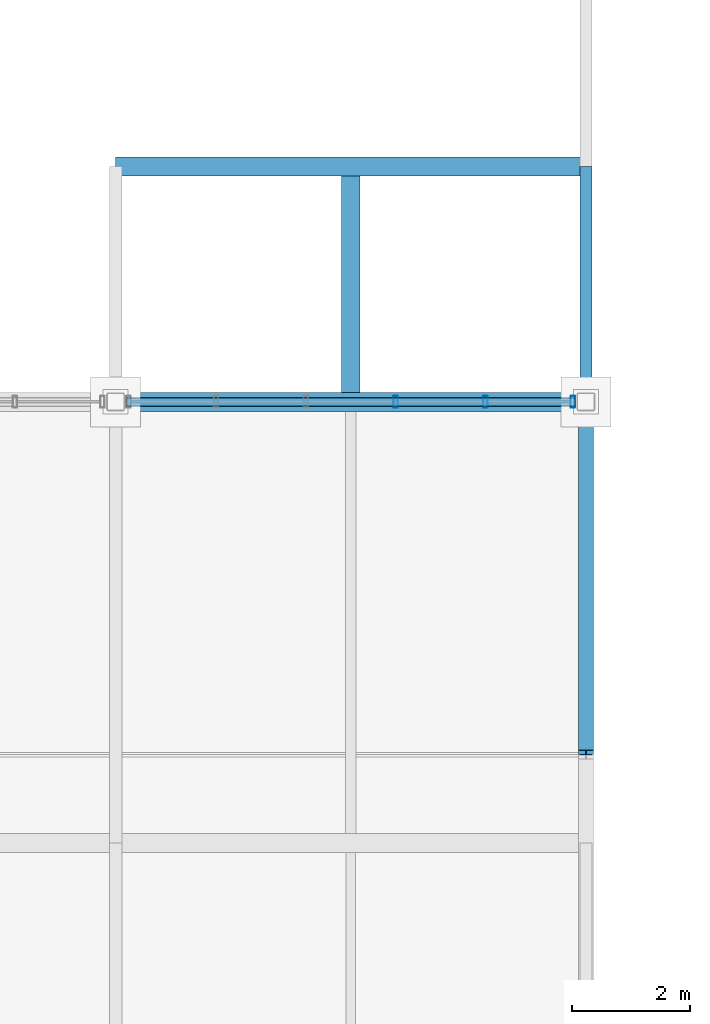
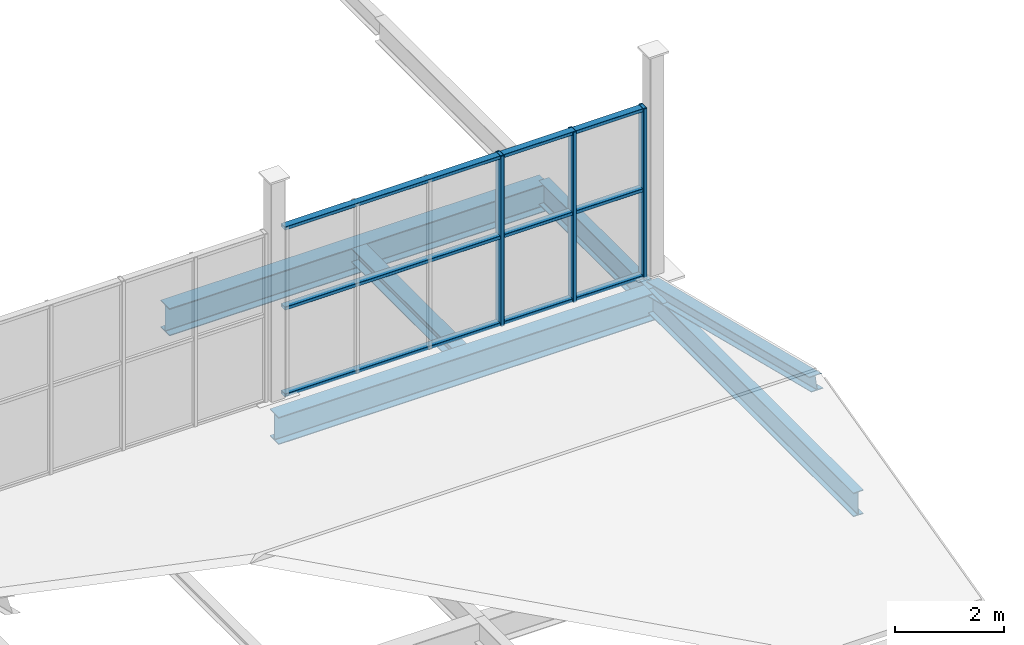
# One storey, part 45 of 96: 7 members, 5 beams, 1 element without a shape of its own.
"""IFC4 building model written with IfcOpenShell, lengths in metres."""

import ifcopenshell
import ifcopenshell.guid

model = None  # the IFC model being written
_history = None  # IfcOwnerHistory: only IFC2X3 demands one
_inside = {}  # id of a spatial element -> (the spatial element, [elements in it])
_under = {}  # id of a project, library or spatial element -> (it, [spatial elements below it])
_declared = {}  # id of a project -> (the project, [libraries it declares])
_typed = {}  # id of a type object -> (the type object, [elements of that type])
_made_of = {}  # id of a material, layer set ... -> (it, [elements and type objects made of it])


def new_model(schema):
    """Start an empty IFC model of exactly this schema.

    Asked for "IFC4X3", IfcOpenShell would pick the latest addendum, in which some entities
    have other attributes; the version numbers below select the first issue.
    IFC2X3 requires an IfcOwnerHistory on every rooted entity: one is made here for all.
    """
    global model, _history
    if schema == "IFC4X3":
        model = ifcopenshell.file(schema_version=(4, 3, 0, 0))
    else:
        model = ifcopenshell.file(schema=schema)
    _inside.clear()
    _under.clear()
    _declared.clear()
    _typed.clear()
    _made_of.clear()
    _history = None
    if model.schema == "IFC2X3":
        org = make("IfcOrganization", Name="unknown")
        user = make(
            "IfcPersonAndOrganization",
            ThePerson=make("IfcPerson", FamilyName="unknown"),
            TheOrganization=org,
        )
        app = make(
            "IfcApplication",
            ApplicationDeveloper=org,
            Version="unknown",
            ApplicationFullName="unknown",
            ApplicationIdentifier="unknown",
        )
        _history = make(
            "IfcOwnerHistory",
            OwningUser=user,
            OwningApplication=app,
            ChangeAction="ADDED",
            CreationDate=0,
        )
    return model


def make(cls, **values):
    """One entity of the class cls with the attributes given. An attribute that is None is left unset."""
    return model.create_entity(
        cls, **{name: value for name, value in values.items() if value is not None}
    )


def rooted(cls, **values):
    """An entity with a GlobalId (a new one), such as an element, a storey or a relation."""
    return make(cls, GlobalId=ifcopenshell.guid.new(), OwnerHistory=_history, **values)


def si_unit(unit_type, name, prefix=None):
    """IfcSIUnit, for example si_unit("LENGTHUNIT", "METRE", prefix="MILLI")."""
    return make("IfcSIUnit", UnitType=unit_type, Prefix=prefix, Name=name)


def assignment(units):
    """IfcUnitAssignment: the units of a project."""
    return None if units is None else make("IfcUnitAssignment", Units=units)


def point(xyz):
    """IfcCartesianPoint."""
    return None if xyz is None else make("IfcCartesianPoint", Coordinates=xyz)


def direction(xyz):
    """IfcDirection."""
    return None if xyz is None else make("IfcDirection", DirectionRatios=xyz)


def frame(location, z_axis=None, x_axis=None):
    """IfcAxis2Placement3D, a coordinate frame: its origin and axes. An axis left out is left unset."""
    return make(
        "IfcAxis2Placement3D",
        Location=point(location),
        Axis=direction(z_axis),
        RefDirection=direction(x_axis),
    )


def frame_2d(location, x_axis=None):
    """IfcAxis2Placement2D, a coordinate frame in the plane: its origin and x axis."""
    return make(
        "IfcAxis2Placement2D", Location=point(location), RefDirection=direction(x_axis)
    )


def origin():
    """The frame at (0, 0, 0) with its axes left unset."""
    return frame((0.0, 0.0, 0.0))


def origin_2d():
    """The frame at (0, 0) in the plane with its x axis left unset."""
    return frame_2d((0.0, 0.0))


def place(relative_to, where):
    """IfcLocalPlacement: puts the frame where relative to a parent placement (None: the world)."""
    return make(
        "IfcLocalPlacement", PlacementRelTo=relative_to, RelativePlacement=where
    )


def context(
    kind, dimensions, precision=None, world=None, true_north=None, identifier=None
):
    """IfcGeometricRepresentationContext, for example the 3D "Model" context."""
    return make(
        "IfcGeometricRepresentationContext",
        ContextIdentifier=identifier,
        ContextType=kind,
        CoordinateSpaceDimension=dimensions,
        Precision=precision,
        WorldCoordinateSystem=world,
        TrueNorth=true_north,
    )


def subcontext(parent, identifier, kind, view, scale=None):
    """IfcGeometricRepresentationSubContext, for example "Body" below "Model"."""
    return make(
        "IfcGeometricRepresentationSubContext",
        ContextIdentifier=identifier,
        ContextType=kind,
        ParentContext=parent,
        TargetScale=scale,
        TargetView=view,
    )


def project(units=None, contexts=None):
    """IfcProject with its units and contexts."""
    return rooted(
        "IfcProject",
        Name="project",
        RepresentationContexts=contexts,
        UnitsInContext=assignment(units),
    )


def spatial(cls, under=None, at=None, **own):
    """A site, building, storey or space (cls), placed at a placement, below another one or the project."""
    s = rooted(cls, ObjectPlacement=at, **own)
    if under is not None:
        _under.setdefault(under.id(), (under, []))[1].append(s)
    return s


def profile(cls, at=None, kind="AREA", **sizes):
    """A parametric profile (cls). Its sizes go by their IFC names, for example OverallWidth=200.0."""
    return make(cls, ProfileType=kind, Position=at, **sizes)


def hollow_rectangle(**sizes):
    """IfcRectangleHollowProfileDef."""
    return profile("IfcRectangleHollowProfileDef", **sizes)


def i_section(**sizes):
    """IfcIShapeProfileDef."""
    return profile("IfcIShapeProfileDef", **sizes)


def extrude(swept, where, along, depth):
    """IfcExtrudedAreaSolid: the profile swept, set in the frame where, extruded along a direction by depth."""
    return make(
        "IfcExtrudedAreaSolid",
        SweptArea=swept,
        Position=where,
        ExtrudedDirection=direction(along),
        Depth=depth,
    )


def shape(context_of_items, identifier, shape_type, items):
    """IfcShapeRepresentation: the items that make up one representation, for example the "Body"."""
    return make(
        "IfcShapeRepresentation",
        ContextOfItems=context_of_items,
        RepresentationIdentifier=identifier,
        RepresentationType=shape_type,
        Items=items,
    )


def material(Name=None, Category=None):
    """IfcMaterial."""
    return make("IfcMaterial", Name=Name, Category=Category)


def material_profile(
    of_material, cross_section, Name=None, Category=None, Priority=None
):
    """IfcMaterialProfile: a cross section and its material."""
    return make(
        "IfcMaterialProfile",
        Name=Name,
        Material=of_material,
        Profile=cross_section,
        Priority=Priority,
        Category=Category,
    )


def profile_set(profiles, Name=None, composite=None):
    """IfcMaterialProfileSet."""
    return make(
        "IfcMaterialProfileSet",
        Name=Name,
        MaterialProfiles=profiles,
        CompositeProfile=composite,
    )


def made_of(thing, what):
    """Note that an element or type object is made of a material, layer set ...; save() writes the relation."""
    if what is not None:
        _made_of.setdefault(what.id(), (what, []))[1].append(thing)
    return thing


def type_object(cls, material=None, **own):
    """A type object (cls), such as IfcWallType, which elements share."""
    return made_of(rooted(cls, **own), material)


def element(
    cls,
    number,
    at=None,
    inside=None,
    cuts=None,
    type_object=None,
    material=None,
    context=None,
    identifier="Body",
    shape_type=None,
    held_by="IfcProductDefinitionShape",
    body=None,
    shapes=None,
    **own,
):
    """One element of the class cls, such as IfcWall. Its Tag is "e" and its number.

    at: its placement. inside: the storey or other place that contains it. cuts: it is an
    opening in that element (IfcRelVoidsElement). A single representation is given by context,
    identifier, shape_type and body (its items); several are given by shapes. held_by: the class
    of the entity that holds the representations. save() writes the other relations.
    """
    e = rooted(cls, Tag="e%d" % number, ObjectPlacement=at, **own)
    if body is not None:
        shapes = [shape(context, identifier, shape_type, body)]
    if shapes is not None:
        e.Representation = make(held_by, Representations=shapes)
    if inside is not None:
        _inside.setdefault(inside.id(), (inside, []))[1].append(e)
    if cuts is not None:
        rooted(
            "IfcRelVoidsElement", RelatingBuildingElement=cuts, RelatedOpeningElement=e
        )
    if type_object is not None:
        _typed.setdefault(type_object.id(), (type_object, []))[1].append(e)
    return made_of(e, material)


def aggregate(whole, parts):
    """IfcRelAggregates: a whole, such as a stair, and the parts it consists of."""
    return rooted("IfcRelAggregates", RelatingObject=whole, RelatedObjects=parts)


def save(model, path):
    """Write the relations noted so far, then the file.

    IfcRelAggregates (storeys below a building ...), IfcRelContainedInSpatialStructure (elements
    in a storey), IfcRelDefinesByType, IfcRelAssociatesMaterial and IfcRelDeclares: one each for
    every whole, place, type object, material and project.
    """
    for whole, parts in _under.values():
        aggregate(whole, parts)
    for where, things in _inside.values():
        rooted(
            "IfcRelContainedInSpatialStructure",
            RelatedElements=things,
            RelatingStructure=where,
        )
    for kind, things in _typed.values():
        rooted("IfcRelDefinesByType", RelatedObjects=things, RelatingType=kind)
    for what, things in _made_of.values():
        rooted("IfcRelAssociatesMaterial", RelatedObjects=things, RelatingMaterial=what)
    for by, libraries in _declared.values():
        rooted("IfcRelDeclares", RelatingContext=by, RelatedDefinitions=libraries)
    model.write(path)


model = new_model("IFC4")

# Units and contexts
model_context = context("Model", 3, precision=1e-05, world=origin(), true_north=direction((0.0, 1.0)))
body_context = subcontext(model_context, "Body", "Model", "MODEL_VIEW")
ifc_project = project(units=[si_unit("LENGTHUNIT", "METRE"), si_unit("AREAUNIT", "SQUARE_METRE"), si_unit("VOLUMEUNIT", "CUBIC_METRE"), si_unit("PLANEANGLEUNIT", "RADIAN"), si_unit("MASSUNIT", "GRAM", prefix="KILO")], contexts=[model_context])

# Site, building, storey
site_placement = place(None, origin())
site = spatial("IfcSite", under=ifc_project, at=site_placement, CompositionType="ELEMENT")
building_placement = place(site_placement, origin())
building = spatial("IfcBuilding", under=site, at=building_placement, Name="Verrall Gate Interchange", CompositionType="ELEMENT")
storey_placement = place(building_placement, frame((0.0, 0.0, 11.39990234375)))
storey = spatial("IfcBuildingStorey", under=building, at=storey_placement, Name="L03", CompositionType="ELEMENT", Elevation=11.39990234375)

# Beams
ifc_material_1 = material(Name="Structural Steel CSA G40.21 350WT Cat 4", Category="steel")
ifc_material_profile_1 = material_profile(ifc_material_1, i_section(OverallWidth=0.323974609375, OverallDepth=0.611083984375, WebThickness=0.0126953125, FlangeThickness=0.01904296875, FilletRadius=0.014892578125, at=origin_2d()), Name="W610x155")
ifc_profile_set_1 = profile_set([ifc_material_profile_1], Name="Structural Steel CSA G40.21 350WT Cat 4")
beam_type_1 = type_object("IfcBeamType", Name="B-08 Structural Beam W610x155", PredefinedType="BEAM", material=ifc_profile_set_1)
for number, where, z_axis, x_axis, name in (
    (1, (100.0, 12.0, -0.635498046875), (1.0, 0.0, 0.0), (0.0, 1.0, 0.0), "L03 Girder BM-L03-2020 (B-08)"),
    (2, (100.0, 16.0, -0.635498046875), (1.0, 0.0, 0.0), (0.0, 1.0, 0.0), "L03 Girder BM-L03-2037 (B-08)"),
):
    element("IfcBeam", number, at=place(storey_placement, frame(where, z_axis=z_axis, x_axis=x_axis)), inside=storey, type_object=beam_type_1, Name=name, PredefinedType="BEAM", context=body_context, shape_type="SweptSolid", body=[
        extrude(i_section(OverallWidth=0.323974609375, OverallDepth=0.611083984375, WebThickness=0.0126953125, FlangeThickness=0.01904296875, FilletRadius=0.014892578125, at=origin_2d()), origin(), (0.0, 0.0, 1.0), 8.0),
    ])
ifc_material_2 = material(Name="Structural Steel CSA G40.21 350W", Category="steel")
ifc_material_profile_2 = material_profile(ifc_material_2, i_section(OverallWidth=0.2109375, OverallDepth=0.5390625, WebThickness=0.01171875, FlangeThickness=0.018798828125, FilletRadius=0.013916015625, at=origin_2d()), Name="W530x109")
ifc_profile_set_2 = profile_set([ifc_material_profile_2], Name="Structural Steel CSA G40.21 350W")
beam_type_2 = type_object("IfcBeamType", Name="B-10 Structural Beam W530x109", PredefinedType="BEAM", material=ifc_profile_set_2)
beam_1_placement = place(storey_placement, frame((108.0, 4.5, -0.599365234375), z_axis=(0.0, 1.0, 0.0), x_axis=(-1.0, 0.0, 0.0)))
element("IfcBeam", 3, at=beam_1_placement, inside=storey, type_object=beam_type_2, Name="L03 Girder BM-L03-2312 (B-10)", PredefinedType="BEAM", context=body_context, shape_type="SweptSolid", body=[
    extrude(i_section(OverallWidth=0.2109375, OverallDepth=0.5390625, WebThickness=0.01171875, FlangeThickness=0.018798828125, FilletRadius=0.013916015625, at=origin_2d()), origin(), (0.0, 0.0, 1.0), 7.5),
])
beam_2_placement = place(storey_placement, frame((108.0, 12.0, -0.599365234375), z_axis=(0.0, 1.0, 0.0), x_axis=(-1.0, 0.0, 0.0)))
element("IfcBeam", 4, at=beam_2_placement, inside=storey, type_object=beam_type_2, Name="L03 Girder BM-L03-2313 (B-10)", PredefinedType="BEAM", context=body_context, shape_type="SweptSolid", body=[
    extrude(i_section(OverallWidth=0.2109375, OverallDepth=0.5390625, WebThickness=0.01171875, FlangeThickness=0.018798828125, FilletRadius=0.013916015625, at=origin_2d()), origin(), (0.0, 0.0, 1.0), 4.0),
])

# Curtain wall, members
ifc_material_3 = material(Name="Thermally Broken Anodized Aluminium Curtain Wall Framing", Category="aluminium")
curtain_wall_type = type_object("IfcCurtainWallType", Name="CW-53 Unitized Curtain Wall 7631x3800", PredefinedType="NOTDEFINED", material=ifc_material_3)
curtain_wall_placement = place(storey_placement, origin())
curtain_wall = element("IfcCurtainWall", 5, at=curtain_wall_placement, inside=storey, type_object=curtain_wall_type, Name="L03 Unitized Curtain Wall CW-L03-CLR-172", PredefinedType="NOTDEFINED")
ifc_material_4 = material(Name="Thermally Broken Anodized Aluminium Curtain Wall Framing", Category="aluminium")
ifc_material_profile_3 = material_profile(ifc_material_4, hollow_rectangle(XDim=0.074951171875, YDim=0.199951171875, WallThickness=0.0048828125, InnerFilletRadius=0.0048828125, OuterFilletRadius=0.010009765625, at=origin_2d()), Name="CWM200x75x5")
ifc_profile_set_3 = profile_set([ifc_material_profile_3], Name="Thermally Broken Anodized Aluminium Curtain Wall Framing")
member_type_1 = type_object("IfcMemberType", Name="CM-02 Curtain Mullion CWM200x75x5", PredefinedType="MULLION", material=ifc_profile_set_3)
member_1_placement = place(storey_placement, frame((104.76318359375, 12.0, 0.0), z_axis=(0.0, 0.0, 1.0), x_axis=(1.0, 0.0, 0.0)))
member_1 = element("IfcMember", 6, at=member_1_placement, type_object=member_type_1, Name="CW-L03-CLR-172 Mullion 4", PredefinedType="MULLION", context=body_context, shape_type="SweptSolid", body=[
    extrude(hollow_rectangle(XDim=0.074951171875, YDim=0.199951171875, WallThickness=0.0048828125, InnerFilletRadius=0.0048828125, OuterFilletRadius=0.010009765625, at=origin_2d()), origin(), (0.0, 0.0, 1.0), 3.800048828125),
])
member_2_placement = place(storey_placement, frame((106.289306640625, 12.0, 0.0), z_axis=(0.0, 0.0, 1.0), x_axis=(1.0, 0.0, 0.0)))
member_2 = element("IfcMember", 7, at=member_2_placement, type_object=member_type_1, Name="CW-L03-CLR-172 Mullion 5", PredefinedType="MULLION", context=body_context, shape_type="SweptSolid", body=[
    extrude(hollow_rectangle(XDim=0.074951171875, YDim=0.199951171875, WallThickness=0.0048828125, InnerFilletRadius=0.0048828125, OuterFilletRadius=0.010009765625, at=origin_2d()), origin(), (0.0, 0.0, 1.0), 3.800048828125),
])
member_3_placement = place(storey_placement, frame((107.778076171875, 12.0, 0.0), z_axis=(0.0, 0.0, 1.0), x_axis=(1.0, 0.0, 0.0)))
member_3 = element("IfcMember", 8, at=member_3_placement, type_object=member_type_1, Name="CW-L03-CLR-172 Mullion 6", PredefinedType="MULLION", context=body_context, shape_type="SweptSolid", body=[
    extrude(hollow_rectangle(XDim=0.074951171875, YDim=0.199951171875, WallThickness=0.0048828125, InnerFilletRadius=0.0048828125, OuterFilletRadius=0.010009765625, at=origin_2d()), origin(), (0.0, 0.0, 1.0), 3.800048828125),
])
ifc_material_5 = material(Name="Thermally Broken Anodized Aluminium Curtain Wall Framing", Category="aluminium")
ifc_material_profile_4 = material_profile(ifc_material_5, hollow_rectangle(XDim=0.14990234375, YDim=0.074951171875, WallThickness=0.00439453125, InnerFilletRadius=0.00439453125, OuterFilletRadius=0.009033203125, at=origin_2d()), Name="CWT150x75x4.5")
ifc_profile_set_4 = profile_set([ifc_material_profile_4], Name="Thermally Broken Anodized Aluminium Curtain Wall Framing")
member_type_2 = type_object("IfcMemberType", Name="CT-02 Curtain Transom CWT150x75x4.5", PredefinedType="USERDEFINED", material=ifc_profile_set_4)
member_4_placement = place(storey_placement, frame((100.1845703125, 12.0, 0.03759765625), z_axis=(1.0, 0.0, 0.0), x_axis=(0.0, 1.0, 0.0)))
member_4 = element("IfcMember", 9, at=member_4_placement, type_object=member_type_2, Name="CW-L03-CLR-172 Transom 1", ObjectType="TRANSOM", PredefinedType="USERDEFINED", context=body_context, shape_type="SweptSolid", body=[
    extrude(hollow_rectangle(XDim=0.14990234375, YDim=0.074951171875, WallThickness=0.00439453125, InnerFilletRadius=0.00439453125, OuterFilletRadius=0.009033203125, at=origin_2d()), origin(), (0.0, 0.0, 1.0), 7.630859375),
])
member_5_placement = place(storey_placement, frame((100.1845703125, 12.0, 1.97607421875), z_axis=(1.0, 0.0, 0.0), x_axis=(0.0, 1.0, 0.0)))
member_5 = element("IfcMember", 10, at=member_5_placement, type_object=member_type_2, Name="CW-L03-CLR-172 Transom 2", ObjectType="TRANSOM", PredefinedType="USERDEFINED", context=body_context, shape_type="SweptSolid", body=[
    extrude(hollow_rectangle(XDim=0.14990234375, YDim=0.074951171875, WallThickness=0.00439453125, InnerFilletRadius=0.00439453125, OuterFilletRadius=0.009033203125, at=origin_2d()), origin(), (0.0, 0.0, 1.0), 7.630859375),
])
member_6_placement = place(storey_placement, frame((100.1845703125, 12.0, 3.7626953125), z_axis=(1.0, 0.0, 0.0), x_axis=(0.0, 1.0, 0.0)))
member_6 = element("IfcMember", 11, at=member_6_placement, type_object=member_type_2, Name="CW-L03-CLR-172 Transom 3", ObjectType="TRANSOM", PredefinedType="USERDEFINED", context=body_context, shape_type="SweptSolid", body=[
    extrude(hollow_rectangle(XDim=0.14990234375, YDim=0.074951171875, WallThickness=0.00439453125, InnerFilletRadius=0.00439453125, OuterFilletRadius=0.009033203125, at=origin_2d()), origin(), (0.0, 0.0, 1.0), 7.630859375),
])
aggregate(curtain_wall, [member_1, member_2, member_3, member_4, member_5, member_6])

# Beam
ifc_material_6 = material(Name="Structural Steel CSA G40.21 350W", Category="steel")
ifc_material_profile_5 = material_profile(ifc_material_6, i_section(OverallWidth=0.306884765625, OverallDepth=0.31396484375, WebThickness=0.011962890625, FlangeThickness=0.018798828125, FilletRadius=0.013916015625, at=origin_2d()), Name="W310x118")
ifc_profile_set_5 = profile_set([ifc_material_profile_5], Name="Structural Steel CSA G40.21 350W")
beam_type_3 = type_object("IfcBeamType", Name="J-02 Floor Joist W310x118", PredefinedType="JOIST", material=ifc_profile_set_5)
beam_3_placement = place(storey_placement, frame((104.0, 12.162109375, -0.48681640625), z_axis=(0.0, 1.0, 0.0), x_axis=(-1.0, 0.0, 0.0)))
element("IfcBeam", 12, at=beam_3_placement, inside=storey, type_object=beam_type_3, Name="L03 Secondary Floor Joist JST-L03-2417", PredefinedType="JOIST", context=body_context, shape_type="SweptSolid", body=[
    extrude(i_section(OverallWidth=0.306884765625, OverallDepth=0.31396484375, WebThickness=0.011962890625, FlangeThickness=0.018798828125, FilletRadius=0.013916015625, at=origin_2d()), origin(), (0.0, 0.0, 1.0), 3.67578125),
])

# Member
ifc_material_7 = material(Name="Structural Steel CSA G40.21 350WT Cat 4", Category="steel")
ifc_material_profile_6 = material_profile(ifc_material_7, i_section(OverallWidth=0.25390625, OverallDepth=0.305908203125, WebThickness=0.0087890625, FlangeThickness=0.0146484375, FilletRadius=0.012939453125, at=origin_2d()), Name="W310x79")
ifc_profile_set_6 = profile_set([ifc_material_profile_6], Name="Structural Steel CSA G40.21 350WT Cat 4")
member_type_3 = type_object("IfcMemberType", Name="RF-03 Folded Roof Rafter W310x79", PredefinedType="RAFTER", material=ifc_profile_set_6)
member_7_placement = place(storey_placement, frame((108.0, 12.0, -0.31982421875), z_axis=(0.0, -0.970524816174, 0.241001205786), x_axis=(1.0, 0.0, 0.0)))
element("IfcMember", 13, at=member_7_placement, inside=storey, type_object=member_type_3, Name="Portico Roof Rafter N 108", PredefinedType="RAFTER", context=body_context, shape_type="SweptSolid", body=[
    extrude(i_section(OverallWidth=0.25390625, OverallDepth=0.305908203125, WebThickness=0.0087890625, FlangeThickness=0.0146484375, FilletRadius=0.012939453125, at=origin_2d()), origin(), (0.0, 0.0, 1.0), 6.140869140625),
])

save(model, "model.ifc")
